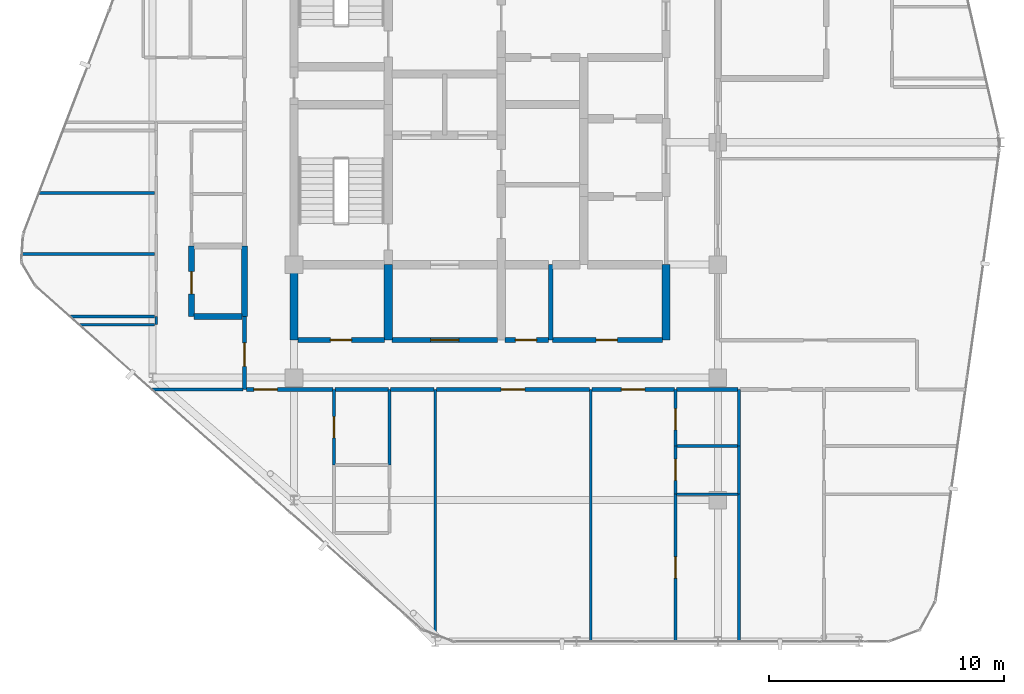
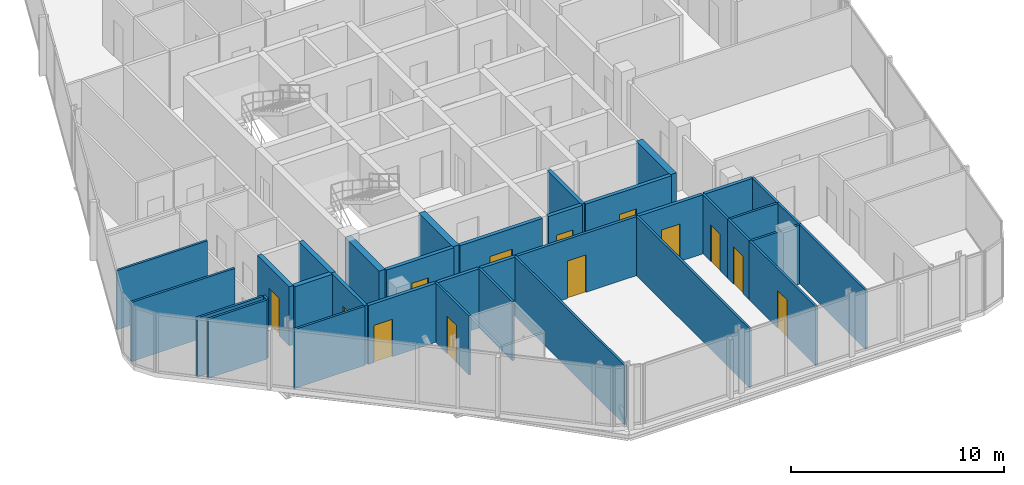
# One storey, part 25 of 30: 36 walls, 13 doors, 13 openings.
"""IFC4 building model written with IfcOpenShell, lengths in metres."""

from ifc_helpers import new_model, si_unit, direction, frame, frame_2d, origin, place, context, subcontext, project, spatial, rectangle, extrude, material, layer, layer_set, type_object, element, fill, save


model = new_model("IFC4")

# Units and contexts
model_context = context("Model", 3, precision=1e-05, world=origin(), true_north=direction((0.0, 1.0)))
body_context = subcontext(model_context, "Body", "Model", "MODEL_VIEW")
ifc_project = project(units=[si_unit("LENGTHUNIT", "METRE"), si_unit("AREAUNIT", "SQUARE_METRE"), si_unit("VOLUMEUNIT", "CUBIC_METRE"), si_unit("PLANEANGLEUNIT", "RADIAN"), si_unit("MASSUNIT", "GRAM", prefix="KILO")], contexts=[model_context])

# Site, building, storey
site_placement = place(None, origin())
site = spatial("IfcSite", under=ifc_project, at=site_placement, CompositionType="ELEMENT")
building_placement = place(site_placement, origin())
building = spatial("IfcBuilding", under=site, at=building_placement, Name="Keshet Zoharim Tower", CompositionType="ELEMENT")
storey_placement = place(building_placement, frame((0.0, 0.0, 280.60009765625)))
storey = spatial("IfcBuildingStorey", under=building, at=storey_placement, Name="L70", CompositionType="ELEMENT", Elevation=280.60009765625)

# Wall, opening, door
ifc_material_1 = material(Name="Gypsum Plasterboard", Category="gypsum")
ifc_layer_1 = layer(ifc_material_1, 0.14990234375)
ifc_layer_set_1 = layer_set([ifc_layer_1], Name="Gypsum Plasterboard")
wall_type_1 = type_object("IfcWallType", Name="WL-CLIN-150", PredefinedType="STANDARD", material=ifc_layer_set_1)
wall_1_placement = place(storey_placement, frame((21.044921875, 17.39990234375, 0.0), z_axis=(0.0, 0.0, 1.0), x_axis=(1.0, 0.0, 0.0)))
wall_1 = element("IfcWall", 1, at=wall_1_placement, inside=storey, type_object=wall_type_1, Name="L70 Interior Wall 103", PredefinedType="STANDARD", context=body_context, shape_type="SweptSolid", body=[
    extrude(rectangle(XDim=6.510009765625, YDim=0.14990234375, at=frame_2d((3.2548828125, 0.0))), origin(), (0.0, 0.0, 1.0), 3.389892578125),
])
opening_1_placement = place(wall_1_placement, frame((2.7548828125, 0.0, 0.0)))
opening_1 = element("IfcOpeningElement", 2, at=opening_1_placement, cuts=wall_1, Name="Opening D-F310", PredefinedType="OPENING", context=body_context, shape_type="SweptSolid", body=[
    extrude(rectangle(XDim=1.0, YDim=2.14990234375, at=frame_2d((0.5, 1.074951171875))), frame((0.0, 0.0849609375, 0.0), z_axis=(0.0, -1.0, 0.0), x_axis=(1.0, 0.0, 0.0)), (0.0, 0.0, 1.0), 0.169921875),
])
ifc_material_2 = material(Name="Hardwood Timber", Category="wood")
door_type_1 = type_object("IfcDoorType", Name="DR-FD30-100", OperationType="NOTDEFINED", PredefinedType="DOOR", material=ifc_material_2)
door_1_placement = place(opening_1_placement, origin())
door_1 = element("IfcDoor", 3, at=door_1_placement, inside=storey, type_object=door_type_1, Name="L70 Floor Children Playroom Door", OperationType="SINGLE_SWING_RIGHT", OverallHeight=2.14990234375, OverallWidth=1.0, PredefinedType="DOOR", context=body_context, shape_type="SweptSolid", body=[
    extrude(rectangle(XDim=1.0, YDim=2.14990234375, at=frame_2d((0.5, 1.074951171875))), frame((0.0, 0.02490234375, 0.0), z_axis=(0.0, -1.0, 0.0), x_axis=(1.0, 0.0, 0.0)), (0.0, 0.0, 1.0), 0.050048828125),
])
fill(opening_1, door_1)

# Walls
ifc_material_3 = material(Name="Concrete C60/75", Category="concrete")
ifc_layer_2 = layer(ifc_material_3, 0.35009765625)
ifc_layer_set_2 = layer_set([ifc_layer_2], Name="Concrete C60/75")
wall_type_2 = type_object("IfcWallType", Name="WL-CORE-350", PredefinedType="SHEAR", material=ifc_layer_set_2)
for number, where, z_axis, x_axis, name in (
    (4, (15.0, 19.5, 0.0), (0.0, 0.0, 1.0), (0.0, 1.0, 0.0), "L70 Core Shear Wall 016"),
    (5, (19.0, 19.5, 0.0), (0.0, 0.0, 1.0), (0.0, 1.0, 0.0), "L70 Core Shear Wall 026"),
    (6, (30.800048828125, 19.5, 0.0), (0.0, 0.0, 1.0), (0.0, 1.0, 0.0), "L70 Core Shear Wall 060"),
):
    element("IfcWall", number, at=place(storey_placement, frame(where, z_axis=z_axis, x_axis=x_axis)), inside=storey, type_object=wall_type_2, Name=name, PredefinedType="SHEAR", context=body_context, shape_type="SweptSolid", body=[
        extrude(rectangle(XDim=3.199951171875, YDim=0.35009765625, at=frame_2d((1.60009765625, 0.0))), origin(), (0.0, 0.0, 1.0), 3.389892578125),
    ])

# Wall, opening, door
ifc_layer_3 = layer(ifc_material_1, 0.179931640625)
ifc_layer_set_3 = layer_set([ifc_layer_3], Name="Gypsum Plasterboard")
wall_type_3 = type_object("IfcWallType", Name="WL-CORR-180", PredefinedType="STANDARD", material=ifc_layer_set_3)
wall_2_placement = place(storey_placement, frame((12.89990234375, 17.39990234375, 0.0), z_axis=(0.0, 0.0, 1.0), x_axis=(0.0, 1.0, 0.0)))
wall_2 = element("IfcWall", 7, at=wall_2_placement, inside=storey, type_object=wall_type_3, Name="L70 Interior Wall 009", PredefinedType="STANDARD", context=body_context, shape_type="SweptSolid", body=[
    extrude(rectangle(XDim=3.10009765625, YDim=0.179931640625, at=frame_2d((1.550048828125, 0.0))), origin(), (0.0, 0.0, 1.0), 3.389892578125),
])
opening_2_placement = place(wall_2_placement, frame((0.97802734375, 0.0, 0.0)))
opening_2 = element("IfcOpeningElement", 8, at=opening_2_placement, cuts=wall_2, Name="Opening D-F310", PredefinedType="OPENING", context=body_context, shape_type="SweptSolid", body=[
    extrude(rectangle(XDim=1.0, YDim=2.14990234375, at=frame_2d((0.5, 1.074951171875))), frame((0.0, 0.10009765625, 0.0), z_axis=(0.0, -1.0, 0.0), x_axis=(1.0, 0.0, 0.0)), (0.0, 0.0, 1.0), 0.199951171875),
])
door_2_placement = place(opening_2_placement, origin())
door_2 = element("IfcDoor", 9, at=door_2_placement, inside=storey, type_object=door_type_1, Name="Apartment 7006 Entrance Door", OperationType="SINGLE_SWING_RIGHT", OverallHeight=2.14990234375, OverallWidth=1.0, PredefinedType="DOOR", context=body_context, shape_type="SweptSolid", body=[
    extrude(rectangle(XDim=1.0, YDim=2.14990234375, at=frame_2d((0.5, 1.074951171875))), frame((0.0, 0.02490234375, 0.0), z_axis=(0.0, -1.0, 0.0), x_axis=(1.0, 0.0, 0.0)), (0.0, 0.0, 1.0), 0.050048828125),
])
fill(opening_2, door_2)

wall_3_placement = place(storey_placement, frame((12.97509765625, 17.39990234375, 0.0), z_axis=(0.0, 0.0, 1.0), x_axis=(1.0, 0.0, 0.0)))
wall_3 = element("IfcWall", 10, at=wall_3_placement, inside=storey, type_object=wall_type_3, Name="L70 Interior Wall 100", PredefinedType="STANDARD", context=body_context, shape_type="SweptSolid", body=[
    extrude(rectangle(XDim=3.679931640625, YDim=0.179931640625, at=frame_2d((1.83984375, 0.0))), origin(), (0.0, 0.0, 1.0), 3.389892578125),
])
opening_3_placement = place(wall_3_placement, frame((0.322021484375, 0.0, 0.0)))
opening_3 = element("IfcOpeningElement", 11, at=opening_3_placement, cuts=wall_3, Name="Opening D-F310", PredefinedType="OPENING", context=body_context, shape_type="SweptSolid", body=[
    extrude(rectangle(XDim=1.0, YDim=2.14990234375, at=frame_2d((0.5, 1.074951171875))), frame((0.0, 0.10009765625, 0.0), z_axis=(0.0, -1.0, 0.0), x_axis=(1.0, 0.0, 0.0)), (0.0, 0.0, 1.0), 0.199951171875),
])
door_3_placement = place(opening_3_placement, origin())
door_3 = element("IfcDoor", 12, at=door_3_placement, inside=storey, type_object=door_type_1, Name="Apartment 7001 Entrance Door", OperationType="SINGLE_SWING_LEFT", OverallHeight=2.14990234375, OverallWidth=1.0, PredefinedType="DOOR", context=body_context, shape_type="SweptSolid", body=[
    extrude(rectangle(XDim=1.0, YDim=2.14990234375, at=frame_2d((0.5, 1.074951171875))), frame((0.0, 0.02490234375, 0.0), z_axis=(0.0, -1.0, 0.0), x_axis=(1.0, 0.0, 0.0)), (0.0, 0.0, 1.0), 0.050048828125),
])
fill(opening_3, door_3)

# Walls
wall_4_placement = place(storey_placement, frame((16.7451171875, 17.39990234375, 0.0), z_axis=(0.0, 0.0, 1.0), x_axis=(1.0, 0.0, 0.0)))
element("IfcWall", 13, at=wall_4_placement, inside=storey, type_object=wall_type_3, Name="L70 Interior Wall 101", PredefinedType="STANDARD", context=body_context, shape_type="SweptSolid", body=[
    extrude(rectangle(XDim=2.259765625, YDim=0.179931640625, at=frame_2d((1.1298828125, 0.0))), origin(), (0.0, 0.0, 1.0), 3.389892578125),
])
wall_5_placement = place(storey_placement, frame((19.094970703125, 17.39990234375, 0.0), z_axis=(0.0, 0.0, 1.0), x_axis=(1.0, 0.0, 0.0)))
element("IfcWall", 14, at=wall_5_placement, inside=storey, type_object=wall_type_3, Name="L70 Interior Wall 102", PredefinedType="STANDARD", context=body_context, shape_type="SweptSolid", body=[
    extrude(rectangle(XDim=1.860107421875, YDim=0.179931640625, at=frame_2d((0.93017578125, 0.0))), origin(), (0.0, 0.0, 1.0), 3.389892578125),
])

# Wall, opening, door
wall_6_placement = place(storey_placement, frame((27.64501953125, 17.39990234375, 0.0), z_axis=(0.0, 0.0, 1.0), x_axis=(1.0, 0.0, 0.0)))
wall_6 = element("IfcWall", 15, at=wall_6_placement, inside=storey, type_object=wall_type_3, Name="L70 Interior Wall 104", PredefinedType="STANDARD", context=body_context, shape_type="SweptSolid", body=[
    extrude(rectangle(XDim=3.510009765625, YDim=0.179931640625, at=frame_2d((1.7548828125, 0.0))), origin(), (0.0, 0.0, 1.0), 3.389892578125),
])
opening_4_placement = place(wall_6_placement, frame((1.2548828125, 0.0, 0.0)))
opening_4 = element("IfcOpeningElement", 16, at=opening_4_placement, cuts=wall_6, Name="Opening D-F310", PredefinedType="OPENING", context=body_context, shape_type="SweptSolid", body=[
    extrude(rectangle(XDim=1.0, YDim=2.14990234375, at=frame_2d((0.5, 1.074951171875))), frame((0.0, 0.10009765625, 0.0), z_axis=(0.0, -1.0, 0.0), x_axis=(1.0, 0.0, 0.0)), (0.0, 0.0, 1.0), 0.199951171875),
])
door_4_placement = place(opening_4_placement, origin())
door_4 = element("IfcDoor", 17, at=door_4_placement, inside=storey, type_object=door_type_1, Name="Apartment 7002 Entrance Door", OperationType="SINGLE_SWING_LEFT", OverallHeight=2.14990234375, OverallWidth=1.0, PredefinedType="DOOR", context=body_context, shape_type="SweptSolid", body=[
    extrude(rectangle(XDim=1.0, YDim=2.14990234375, at=frame_2d((0.5, 1.074951171875))), frame((0.0, 0.02490234375, 0.0), z_axis=(0.0, -1.0, 0.0), x_axis=(1.0, 0.0, 0.0)), (0.0, 0.0, 1.0), 0.050048828125),
])
fill(opening_4, door_4)

# Walls
wall_7_placement = place(storey_placement, frame((31.2451171875, 17.39990234375, 0.0), z_axis=(0.0, 0.0, 1.0), x_axis=(1.0, 0.0, 0.0)))
element("IfcWall", 18, at=wall_7_placement, inside=storey, type_object=wall_type_3, Name="L70 Interior Wall 105", PredefinedType="STANDARD", context=body_context, shape_type="SweptSolid", body=[
    extrude(rectangle(XDim=2.60986328125, YDim=0.179931640625, at=frame_2d((1.304931640625, 0.0))), origin(), (0.0, 0.0, 1.0), 3.389892578125),
])
ifc_material_4 = material(Name="Concrete C50/60", Category="concrete")
ifc_layer_4 = layer(ifc_material_4, 0.199951171875)
ifc_layer_set_4 = layer_set([ifc_layer_4], Name="Concrete C50/60")
wall_type_4 = type_object("IfcWallType", Name="WL-FIRE-200", PredefinedType="STANDARD", material=ifc_layer_set_4)
wall_8_placement = place(storey_placement, frame((25.89990234375, 19.5, 0.0), z_axis=(0.0, 0.0, 1.0), x_axis=(0.0, 1.0, 0.0)))
element("IfcWall", 19, at=wall_8_placement, inside=storey, type_object=wall_type_4, Name="L70 Interior Wall 050", PredefinedType="STANDARD", context=body_context, shape_type="SweptSolid", body=[
    extrude(rectangle(XDim=3.199951171875, YDim=0.199951171875, at=frame_2d((1.60009765625, 0.0))), origin(), (0.0, 0.0, 1.0), 3.389892578125),
])

# Wall, opening, door
wall_9_placement = place(storey_placement, frame((15.159912109375, 19.5, 0.0), z_axis=(0.0, 0.0, 1.0), x_axis=(1.0, 0.0, 0.0)))
wall_9 = element("IfcWall", 20, at=wall_9_placement, inside=storey, type_object=wall_type_4, Name="L70 Interior Wall 109", PredefinedType="STANDARD", context=body_context, shape_type="SweptSolid", body=[
    extrude(rectangle(XDim=3.68017578125, YDim=0.199951171875, at=frame_2d((1.840087890625, 0.0))), origin(), (0.0, 0.0, 1.0), 3.389892578125),
])
opening_5_placement = place(wall_9_placement, frame((1.389892578125, 0.0, 0.0)))
opening_5 = element("IfcOpeningElement", 21, at=opening_5_placement, cuts=wall_9, Name="Opening D-F690", PredefinedType="OPENING", context=body_context, shape_type="SweptSolid", body=[
    extrude(rectangle(XDim=0.89990234375, YDim=2.14990234375, at=frame_2d((0.449951171875, 1.074951171875))), frame((0.0, 0.10986328125, 0.0), z_axis=(0.0, -1.0, 0.0), x_axis=(1.0, 0.0, 0.0)), (0.0, 0.0, 1.0), 0.219970703125),
])
door_type_2 = type_object("IfcDoorType", Name="DR-FD60-090", OperationType="NOTDEFINED", PredefinedType="DOOR", material=ifc_material_2)
door_5_placement = place(opening_5_placement, origin())
door_5 = element("IfcDoor", 22, at=door_5_placement, inside=storey, type_object=door_type_2, Name="L70 Refuse Room Door", OperationType="SINGLE_SWING_LEFT", OverallHeight=2.14990234375, OverallWidth=0.89990234375, PredefinedType="DOOR", context=body_context, shape_type="SweptSolid", body=[
    extrude(rectangle(XDim=0.89990234375, YDim=2.14990234375, at=frame_2d((0.449951171875, 1.074951171875))), frame((0.0, 0.02490234375, 0.0), z_axis=(0.0, -1.0, 0.0), x_axis=(1.0, 0.0, 0.0)), (0.0, 0.0, 1.0), 0.050048828125),
])
fill(opening_5, door_5)

wall_10_placement = place(storey_placement, frame((19.159912109375, 19.5, 0.0), z_axis=(0.0, 0.0, 1.0), x_axis=(1.0, 0.0, 0.0)))
wall_10 = element("IfcWall", 23, at=wall_10_placement, inside=storey, type_object=wall_type_4, Name="L70 Interior Wall 110", PredefinedType="STANDARD", context=body_context, shape_type="SweptSolid", body=[
    extrude(rectangle(XDim=4.47998046875, YDim=0.199951171875, at=frame_2d((2.239990234375, 0.0))), origin(), (0.0, 0.0, 1.0), 3.389892578125),
])
opening_6_placement = place(wall_10_placement, frame((1.639892578125, 0.0, 0.0)))
opening_6 = element("IfcOpeningElement", 24, at=opening_6_placement, cuts=wall_10, Name="Opening D-F612", PredefinedType="OPENING", context=body_context, shape_type="SweptSolid", body=[
    extrude(rectangle(XDim=1.199951171875, YDim=2.199951171875, at=frame_2d((0.60009765625, 1.10009765625))), frame((0.0, 0.10986328125, 0.0), z_axis=(0.0, -1.0, 0.0), x_axis=(1.0, 0.0, 0.0)), (0.0, 0.0, 1.0), 0.219970703125),
])
door_type_3 = type_object("IfcDoorType", Name="DR-FD60-120", OperationType="NOTDEFINED", PredefinedType="DOOR", material=ifc_material_2)
door_6_placement = place(opening_6_placement, origin())
door_6 = element("IfcDoor", 25, at=door_6_placement, inside=storey, type_object=door_type_3, Name="L70 South Vestibule Corridor Door", OperationType="SINGLE_SWING_RIGHT", OverallHeight=2.199951171875, OverallWidth=1.199951171875, PredefinedType="DOOR", context=body_context, shape_type="SweptSolid", body=[
    extrude(rectangle(XDim=1.199951171875, YDim=2.199951171875, at=frame_2d((0.60009765625, 1.10009765625))), frame((0.0, 0.02490234375, 0.0), z_axis=(0.0, -1.0, 0.0), x_axis=(1.0, 0.0, 0.0)), (0.0, 0.0, 1.0), 0.050048828125),
])
fill(opening_6, door_6)

wall_11_placement = place(storey_placement, frame((23.9599609375, 19.5, 0.0), z_axis=(0.0, 0.0, 1.0), x_axis=(1.0, 0.0, 0.0)))
wall_11 = element("IfcWall", 26, at=wall_11_placement, inside=storey, type_object=wall_type_4, Name="L70 Interior Wall 111", PredefinedType="STANDARD", context=body_context, shape_type="SweptSolid", body=[
    extrude(rectangle(XDim=1.85498046875, YDim=0.199951171875, at=frame_2d((0.927490234375, 0.0))), origin(), (0.0, 0.0, 1.0), 3.389892578125),
])
opening_7_placement = place(wall_11_placement, frame((0.43994140625, 0.0, 0.0)))
opening_7 = element("IfcOpeningElement", 27, at=opening_7_placement, cuts=wall_11, Name="Opening D-F690", PredefinedType="OPENING", context=body_context, shape_type="SweptSolid", body=[
    extrude(rectangle(XDim=0.89990234375, YDim=2.14990234375, at=frame_2d((0.449951171875, 1.074951171875))), frame((0.0, 0.10986328125, 0.0), z_axis=(0.0, -1.0, 0.0), x_axis=(1.0, 0.0, 0.0)), (0.0, 0.0, 1.0), 0.219970703125),
])
door_7_placement = place(opening_7_placement, origin())
door_7 = element("IfcDoor", 28, at=door_7_placement, inside=storey, type_object=door_type_2, Name="L70 Cleaners Store Door", OperationType="SINGLE_SWING_LEFT", OverallHeight=2.14990234375, OverallWidth=0.89990234375, PredefinedType="DOOR", context=body_context, shape_type="SweptSolid", body=[
    extrude(rectangle(XDim=0.89990234375, YDim=2.14990234375, at=frame_2d((0.449951171875, 1.074951171875))), frame((0.0, 0.02490234375, 0.0), z_axis=(0.0, -1.0, 0.0), x_axis=(1.0, 0.0, 0.0)), (0.0, 0.0, 1.0), 0.050048828125),
])
fill(opening_7, door_7)

wall_12_placement = place(storey_placement, frame((25.985107421875, 19.5, 0.0), z_axis=(0.0, 0.0, 1.0), x_axis=(1.0, 0.0, 0.0)))
wall_12 = element("IfcWall", 29, at=wall_12_placement, inside=storey, type_object=wall_type_4, Name="L70 Interior Wall 112", PredefinedType="STANDARD", context=body_context, shape_type="SweptSolid", body=[
    extrude(rectangle(XDim=4.65478515625, YDim=0.199951171875, at=frame_2d((2.327392578125, 0.0))), origin(), (0.0, 0.0, 1.0), 3.389892578125),
])
opening_8_placement = place(wall_12_placement, frame((1.844970703125, 0.0, 0.0)))
opening_8 = element("IfcOpeningElement", 30, at=opening_8_placement, cuts=wall_12, Name="Opening D-F690", PredefinedType="OPENING", context=body_context, shape_type="SweptSolid", body=[
    extrude(rectangle(XDim=0.89990234375, YDim=2.14990234375, at=frame_2d((0.449951171875, 1.074951171875))), frame((0.0, 0.10986328125, 0.0), z_axis=(0.0, -1.0, 0.0), x_axis=(1.0, 0.0, 0.0)), (0.0, 0.0, 1.0), 0.219970703125),
])
door_8_placement = place(opening_8_placement, origin())
door_8 = element("IfcDoor", 31, at=door_8_placement, inside=storey, type_object=door_type_2, Name="L70 Meter Room Door", OperationType="SINGLE_SWING_RIGHT", OverallHeight=2.14990234375, OverallWidth=0.89990234375, PredefinedType="DOOR", context=body_context, shape_type="SweptSolid", body=[
    extrude(rectangle(XDim=0.89990234375, YDim=2.14990234375, at=frame_2d((0.449951171875, 1.074951171875))), frame((0.0, 0.02490234375, 0.0), z_axis=(0.0, -1.0, 0.0), x_axis=(1.0, 0.0, 0.0)), (0.0, 0.0, 1.0), 0.050048828125),
])
fill(opening_8, door_8)

ifc_layer_5 = layer(ifc_material_4, 0.25)
ifc_layer_set_5 = layer_set([ifc_layer_5], Name="Concrete C50/60")
wall_type_5 = type_object("IfcWallType", Name="WL-MAMAD-250", PredefinedType="STANDARD", material=ifc_layer_set_5)
wall_13_placement = place(storey_placement, frame((10.64990234375, 20.5, 0.0), z_axis=(0.0, 0.0, 1.0), x_axis=(0.0, 1.0, 0.0)))
wall_13 = element("IfcWall", 32, at=wall_13_placement, inside=storey, type_object=wall_type_5, Name="L70 Interior Wall 006", PredefinedType="STANDARD", context=body_context, shape_type="SweptSolid", body=[
    extrude(rectangle(XDim=3.001953125, YDim=0.25, at=frame_2d((1.5009765625, 0.0))), origin(), (0.0, 0.0, 1.0), 3.389892578125),
])
opening_9_placement = place(wall_13_placement, frame((0.9560546875, 0.0, 0.0)))
opening_9 = element("IfcOpeningElement", 33, at=opening_9_placement, cuts=wall_13, Name="Opening D-F695", PredefinedType="OPENING", context=body_context, shape_type="SweptSolid", body=[
    extrude(rectangle(XDim=0.949951171875, YDim=2.14990234375, at=frame_2d((0.47509765625, 1.074951171875))), frame((0.0, 0.135009765625, 0.0), z_axis=(0.0, -1.0, 0.0), x_axis=(1.0, 0.0, 0.0)), (0.0, 0.0, 1.0), 0.27001953125),
])
door_type_4 = type_object("IfcDoorType", Name="DR-FD60-095", OperationType="NOTDEFINED", PredefinedType="DOOR", material=ifc_material_2)
door_9_placement = place(opening_9_placement, origin())
door_9 = element("IfcDoor", 34, at=door_9_placement, inside=storey, type_object=door_type_4, Name="Apartment 7006 Study and Shelter Room Door", OperationType="SINGLE_SWING_LEFT", OverallHeight=2.14990234375, OverallWidth=0.949951171875, PredefinedType="DOOR", context=body_context, shape_type="SweptSolid", body=[
    extrude(rectangle(XDim=0.949951171875, YDim=2.14990234375, at=frame_2d((0.47509765625, 1.074951171875))), frame((0.0, 0.02490234375, 0.0), z_axis=(0.0, -1.0, 0.0), x_axis=(1.0, 0.0, 0.0)), (0.0, 0.0, 1.0), 0.050048828125),
])
fill(opening_9, door_9)

# Walls
wall_14_placement = place(storey_placement, frame((12.89990234375, 20.5, 0.0), z_axis=(0.0, 0.0, 1.0), x_axis=(0.0, 1.0, 0.0)))
element("IfcWall", 35, at=wall_14_placement, inside=storey, type_object=wall_type_5, Name="L70 Interior Wall 010", PredefinedType="STANDARD", context=body_context, shape_type="SweptSolid", body=[
    extrude(rectangle(XDim=3.001953125, YDim=0.25, at=frame_2d((1.5009765625, 0.0))), origin(), (0.0, 0.0, 1.0), 3.389892578125),
])
wall_15_placement = place(storey_placement, frame((10.760009765625, 20.5, 0.0), z_axis=(0.0, 0.0, 1.0), x_axis=(1.0, 0.0, 0.0)))
element("IfcWall", 36, at=wall_15_placement, inside=storey, type_object=wall_type_5, Name="L70 Interior Wall 116", PredefinedType="STANDARD", context=body_context, shape_type="SweptSolid", body=[
    extrude(rectangle(XDim=2.030029296875, YDim=0.25, at=frame_2d((1.01513671875, 0.0))), origin(), (0.0, 0.0, 1.0), 3.389892578125),
])
ifc_layer_6 = layer(ifc_material_1, 0.1201171875)
ifc_layer_set_6 = layer_set([ifc_layer_6], Name="Gypsum Plasterboard")
wall_type_6 = type_object("IfcWallType", Name="WL-PART-120", PredefinedType="PARTITIONING", material=ifc_layer_set_6)
wall_16_placement = place(storey_placement, frame((9.14990234375, 20.14990234375, 0.0), z_axis=(0.0, 0.0, 1.0), x_axis=(0.0, 1.0, 0.0)))
element("IfcWall", 37, at=wall_16_placement, inside=storey, type_object=wall_type_6, Name="L70 Interior Wall 002", PredefinedType="PARTITIONING", context=body_context, shape_type="SweptSolid", body=[
    extrude(rectangle(XDim=0.35009765625, YDim=0.1201171875, at=frame_2d((0.175048828125, 0.0))), origin(), (0.0, 0.0, 1.0), 3.389892578125),
])

# Wall, opening, door
wall_17_placement = place(storey_placement, frame((16.699951171875, 14.199951171875, 0.0), z_axis=(0.0, 0.0, 1.0), x_axis=(0.0, 1.0, 0.0)))
wall_17 = element("IfcWall", 38, at=wall_17_placement, inside=storey, type_object=wall_type_6, Name="L70 Interior Wall 023", PredefinedType="PARTITIONING", context=body_context, shape_type="SweptSolid", body=[
    extrude(rectangle(XDim=3.199951171875, YDim=0.1201171875, at=frame_2d((1.60009765625, 0.0))), origin(), (0.0, 0.0, 1.0), 3.389892578125),
])
opening_10_placement = place(wall_17_placement, frame((1.14990234375, 0.0, 0.0)))
opening_10 = element("IfcOpeningElement", 39, at=opening_10_placement, cuts=wall_17, Name="Opening D-IN90", PredefinedType="OPENING", context=body_context, shape_type="SweptSolid", body=[
    extrude(rectangle(XDim=0.89990234375, YDim=2.14990234375, at=frame_2d((0.449951171875, 1.074951171875))), frame((0.0, 0.070068359375, 0.0), z_axis=(0.0, -1.0, 0.0), x_axis=(1.0, 0.0, 0.0)), (0.0, 0.0, 1.0), 0.14013671875),
])
door_type_5 = type_object("IfcDoorType", Name="DR-INT-090", OperationType="NOTDEFINED", PredefinedType="DOOR", material=ifc_material_2)
door_10_placement = place(opening_10_placement, origin())
door_10 = element("IfcDoor", 40, at=door_10_placement, inside=storey, type_object=door_type_5, Name="Apartment 7001 Kitchenette Door", OperationType="SINGLE_SWING_RIGHT", OverallHeight=2.14990234375, OverallWidth=0.89990234375, PredefinedType="DOOR", context=body_context, shape_type="SweptSolid", body=[
    extrude(rectangle(XDim=0.89990234375, YDim=2.14990234375, at=frame_2d((0.449951171875, 1.074951171875))), frame((0.0, 0.02490234375, 0.0), z_axis=(0.0, -1.0, 0.0), x_axis=(1.0, 0.0, 0.0)), (0.0, 0.0, 1.0), 0.050048828125),
])
fill(opening_10, door_10)

# Walls
wall_18_placement = place(storey_placement, frame((19.050048828125, 14.199951171875, 0.0), z_axis=(0.0, 0.0, 1.0), x_axis=(0.0, 1.0, 0.0)))
element("IfcWall", 41, at=wall_18_placement, inside=storey, type_object=wall_type_6, Name="L70 Interior Wall 032", PredefinedType="PARTITIONING", context=body_context, shape_type="SweptSolid", body=[
    extrude(rectangle(XDim=3.199951171875, YDim=0.1201171875, at=frame_2d((1.60009765625, 0.0))), origin(), (0.0, 0.0, 1.0), 3.389892578125),
])
wall_19_placement = place(storey_placement, frame((21.0, 6.9990234375, 0.0), z_axis=(0.0, 0.0, 1.0), x_axis=(0.0, 1.0, 0.0)))
element("IfcWall", 42, at=wall_19_placement, inside=storey, type_object=wall_type_6, Name="L70 Interior Wall 035", PredefinedType="PARTITIONING", context=body_context, shape_type="SweptSolid", body=[
    extrude(rectangle(XDim=10.40087890625, YDim=0.1201171875, at=frame_2d((5.200439453125, 0.0))), origin(), (0.0, 0.0, 1.0), 3.389892578125),
])
wall_20_placement = place(storey_placement, frame((27.60009765625, 6.7099609375, 0.0), z_axis=(0.0, 0.0, 1.0), x_axis=(0.0, 1.0, 0.0)))
element("IfcWall", 43, at=wall_20_placement, inside=storey, type_object=wall_type_6, Name="L70 Interior Wall 055", PredefinedType="PARTITIONING", context=body_context, shape_type="SweptSolid", body=[
    extrude(rectangle(XDim=10.68994140625, YDim=0.1201171875, at=frame_2d((5.344970703125, 0.0))), origin(), (0.0, 0.0, 1.0), 3.389892578125),
])

# Wall, opening, door
wall_21_placement = place(storey_placement, frame((31.199951171875, 6.7099609375, 0.0), z_axis=(0.0, 0.0, 1.0), x_axis=(0.0, 1.0, 0.0)))
wall_21 = element("IfcWall", 44, at=wall_21_placement, inside=storey, type_object=wall_type_6, Name="L70 Interior Wall 066", PredefinedType="PARTITIONING", context=body_context, shape_type="SweptSolid", body=[
    extrude(rectangle(XDim=6.260009765625, YDim=0.1201171875, at=frame_2d((3.1298828125, 0.0))), origin(), (0.0, 0.0, 1.0), 3.389892578125),
])
opening_11_placement = place(wall_21_placement, frame((2.679931640625, 0.0, 0.0)))
opening_11 = element("IfcOpeningElement", 45, at=opening_11_placement, cuts=wall_21, Name="Opening D-IN90", PredefinedType="OPENING", context=body_context, shape_type="SweptSolid", body=[
    extrude(rectangle(XDim=0.89990234375, YDim=2.14990234375, at=frame_2d((0.449951171875, 1.074951171875))), frame((0.0, 0.070068359375, 0.0), z_axis=(0.0, -1.0, 0.0), x_axis=(1.0, 0.0, 0.0)), (0.0, 0.0, 1.0), 0.14013671875),
])
door_11_placement = place(opening_11_placement, origin())
door_11 = element("IfcDoor", 46, at=door_11_placement, inside=storey, type_object=door_type_5, Name="Apartment 7002 Bedroom 1 Door", OperationType="SINGLE_SWING_RIGHT", OverallHeight=2.14990234375, OverallWidth=0.89990234375, PredefinedType="DOOR", context=body_context, shape_type="SweptSolid", body=[
    extrude(rectangle(XDim=0.89990234375, YDim=2.14990234375, at=frame_2d((0.449951171875, 1.074951171875))), frame((0.0, 0.02490234375, 0.0), z_axis=(0.0, -1.0, 0.0), x_axis=(1.0, 0.0, 0.0)), (0.0, 0.0, 1.0), 0.050048828125),
])
fill(opening_11, door_11)

wall_22_placement = place(storey_placement, frame((31.199951171875, 12.969970703125, 0.0), z_axis=(0.0, 0.0, 1.0), x_axis=(0.0, 1.0, 0.0)))
wall_22 = element("IfcWall", 47, at=wall_22_placement, inside=storey, type_object=wall_type_6, Name="L70 Interior Wall 067", PredefinedType="PARTITIONING", context=body_context, shape_type="SweptSolid", body=[
    extrude(rectangle(XDim=2.0380859375, YDim=0.1201171875, at=frame_2d((1.01904296875, 0.0))), origin(), (0.0, 0.0, 1.0), 3.389892578125),
])
opening_12_placement = place(wall_22_placement, frame((0.569091796875, 0.0, 0.0)))
opening_12 = element("IfcOpeningElement", 48, at=opening_12_placement, cuts=wall_22, Name="Opening D-IN90", PredefinedType="OPENING", context=body_context, shape_type="SweptSolid", body=[
    extrude(rectangle(XDim=0.89990234375, YDim=2.14990234375, at=frame_2d((0.449951171875, 1.074951171875))), frame((0.0, 0.070068359375, 0.0), z_axis=(0.0, -1.0, 0.0), x_axis=(1.0, 0.0, 0.0)), (0.0, 0.0, 1.0), 0.14013671875),
])
door_12_placement = place(opening_12_placement, origin())
door_12 = element("IfcDoor", 49, at=door_12_placement, inside=storey, type_object=door_type_5, Name="Apartment 7002 Kitchen Door", OperationType="SINGLE_SWING_LEFT", OverallHeight=2.14990234375, OverallWidth=0.89990234375, PredefinedType="DOOR", context=body_context, shape_type="SweptSolid", body=[
    extrude(rectangle(XDim=0.89990234375, YDim=2.14990234375, at=frame_2d((0.449951171875, 1.074951171875))), frame((0.0, 0.02490234375, 0.0), z_axis=(0.0, -1.0, 0.0), x_axis=(1.0, 0.0, 0.0)), (0.0, 0.0, 1.0), 0.050048828125),
])
fill(opening_12, door_12)

# Walls
wall_23_placement = place(storey_placement, frame((33.89990234375, 6.7099609375, 0.0), z_axis=(0.0, 0.0, 1.0), x_axis=(0.0, 1.0, 0.0)))
element("IfcWall", 50, at=wall_23_placement, inside=storey, type_object=wall_type_6, Name="L70 Interior Wall 076", PredefinedType="PARTITIONING", context=body_context, shape_type="SweptSolid", body=[
    extrude(rectangle(XDim=6.260009765625, YDim=0.1201171875, at=frame_2d((3.1298828125, 0.0))), origin(), (0.0, 0.0, 1.0), 3.389892578125),
])
wall_24_placement = place(storey_placement, frame((33.89990234375, 12.969970703125, 0.0), z_axis=(0.0, 0.0, 1.0), x_axis=(0.0, 1.0, 0.0)))
element("IfcWall", 51, at=wall_24_placement, inside=storey, type_object=wall_type_6, Name="L70 Interior Wall 077", PredefinedType="PARTITIONING", context=body_context, shape_type="SweptSolid", body=[
    extrude(rectangle(XDim=2.0380859375, YDim=0.1201171875, at=frame_2d((1.01904296875, 0.0))), origin(), (0.0, 0.0, 1.0), 3.389892578125),
])
wall_25_placement = place(storey_placement, frame((31.2451171875, 12.949951171875, 0.0), z_axis=(0.0, 0.0, 1.0), x_axis=(1.0, 0.0, 0.0)))
element("IfcWall", 52, at=wall_25_placement, inside=storey, type_object=wall_type_6, Name="L70 Interior Wall 094", PredefinedType="PARTITIONING", context=body_context, shape_type="SweptSolid", body=[
    extrude(rectangle(XDim=2.60986328125, YDim=0.1201171875, at=frame_2d((1.304931640625, 0.0))), origin(), (0.0, 0.0, 1.0), 3.389892578125),
])
wall_26_placement = place(storey_placement, frame((8.972900390625, 17.39990234375, 0.0), z_axis=(0.0, 0.0, 1.0), x_axis=(1.0, 0.0, 0.0)))
element("IfcWall", 53, at=wall_26_placement, inside=storey, type_object=wall_type_6, Name="L70 Interior Wall 099", PredefinedType="PARTITIONING", context=body_context, shape_type="SweptSolid", body=[
    extrude(rectangle(XDim=3.85205078125, YDim=0.1201171875, at=frame_2d((1.926025390625, 0.0))), origin(), (0.0, 0.0, 1.0), 3.389892578125),
])
wall_27_placement = place(storey_placement, frame((5.87890625, 20.14990234375, 0.0), z_axis=(0.0, 0.0, 1.0), x_axis=(1.0, 0.0, 0.0)))
element("IfcWall", 54, at=wall_27_placement, inside=storey, type_object=wall_type_6, Name="L70 Interior Wall 114", PredefinedType="PARTITIONING", context=body_context, shape_type="SweptSolid", body=[
    extrude(rectangle(XDim=3.2060546875, YDim=0.1201171875, at=frame_2d((1.60302734375, 0.0))), origin(), (0.0, 0.0, 1.0), 3.389892578125),
])
wall_28_placement = place(storey_placement, frame((5.485107421875, 20.5, 0.0), z_axis=(0.0, 0.0, 1.0), x_axis=(1.0, 0.0, 0.0)))
element("IfcWall", 55, at=wall_28_placement, inside=storey, type_object=wall_type_6, Name="L70 Interior Wall 115", PredefinedType="PARTITIONING", context=body_context, shape_type="SweptSolid", body=[
    extrude(rectangle(XDim=3.599853515625, YDim=0.1201171875, at=frame_2d((1.7998046875, 0.0))), origin(), (0.0, 0.0, 1.0), 3.389892578125),
])
wall_29_placement = place(storey_placement, frame((3.451904296875, 23.14990234375, 0.0), z_axis=(0.0, 0.0, 1.0), x_axis=(1.0, 0.0, 0.0)))
element("IfcWall", 56, at=wall_29_placement, inside=storey, type_object=wall_type_6, Name="L70 Interior Wall 122", PredefinedType="PARTITIONING", context=body_context, shape_type="SweptSolid", body=[
    extrude(rectangle(XDim=5.633056640625, YDim=0.1201171875, at=frame_2d((2.81640625, 0.0))), origin(), (0.0, 0.0, 1.0), 3.389892578125),
])
wall_30_placement = place(storey_placement, frame((4.18310546875, 25.75, 0.0), z_axis=(0.0, 0.0, 1.0), x_axis=(1.0, 0.0, 0.0)))
element("IfcWall", 57, at=wall_30_placement, inside=storey, type_object=wall_type_6, Name="L70 Interior Wall 126", PredefinedType="PARTITIONING", context=body_context, shape_type="SweptSolid", body=[
    extrude(rectangle(XDim=4.90185546875, YDim=0.1201171875, at=frame_2d((2.450927734375, 0.0))), origin(), (0.0, 0.0, 1.0), 3.389892578125),
])

# Wall, opening, door
ifc_layer_7 = layer(ifc_material_1, 0.1201171875)
ifc_layer_set_7 = layer_set([ifc_layer_7], Name="Gypsum Plasterboard")
wall_type_7 = type_object("IfcWallType", Name="WL-WET-120", PredefinedType="PARTITIONING", material=ifc_layer_set_7)
wall_31_placement = place(storey_placement, frame((31.199951171875, 15.008056640625, 0.0), z_axis=(0.0, 0.0, 1.0), x_axis=(0.0, 1.0, 0.0)))
wall_31 = element("IfcWall", 58, at=wall_31_placement, inside=storey, type_object=wall_type_7, Name="L70 Interior Wall 068", PredefinedType="PARTITIONING", context=body_context, shape_type="SweptSolid", body=[
    extrude(rectangle(XDim=2.391845703125, YDim=0.1201171875, at=frame_2d((1.19580078125, 0.0))), origin(), (0.0, 0.0, 1.0), 3.389892578125),
])
opening_13_placement = place(wall_31_placement, frame((0.675048828125, 0.0, 0.0)))
opening_13 = element("IfcOpeningElement", 59, at=opening_13_placement, cuts=wall_31, Name="Opening D-WT90", PredefinedType="OPENING", context=body_context, shape_type="SweptSolid", body=[
    extrude(rectangle(XDim=0.89990234375, YDim=2.10009765625, at=frame_2d((0.449951171875, 1.050048828125))), frame((0.0, 0.070068359375, 0.0), z_axis=(0.0, -1.0, 0.0), x_axis=(1.0, 0.0, 0.0)), (0.0, 0.0, 1.0), 0.14013671875),
])
door_type_6 = type_object("IfcDoorType", Name="DR-WET-090", OperationType="NOTDEFINED", PredefinedType="DOOR", material=ifc_material_2)
door_13_placement = place(opening_13_placement, origin())
door_13 = element("IfcDoor", 60, at=door_13_placement, inside=storey, type_object=door_type_6, Name="Apartment 7002 Bathroom Door", OperationType="SINGLE_SWING_RIGHT", OverallHeight=2.10009765625, OverallWidth=0.89990234375, PredefinedType="DOOR", context=body_context, shape_type="SweptSolid", body=[
    extrude(rectangle(XDim=0.89990234375, YDim=2.10009765625, at=frame_2d((0.449951171875, 1.050048828125))), frame((0.0, 0.02490234375, 0.0), z_axis=(0.0, -1.0, 0.0), x_axis=(1.0, 0.0, 0.0)), (0.0, 0.0, 1.0), 0.050048828125),
])
fill(opening_13, door_13)

# Walls
wall_32_placement = place(storey_placement, frame((33.89990234375, 15.008056640625, 0.0), z_axis=(0.0, 0.0, 1.0), x_axis=(0.0, 1.0, 0.0)))
element("IfcWall", 61, at=wall_32_placement, inside=storey, type_object=wall_type_7, Name="L70 Interior Wall 078", PredefinedType="PARTITIONING", context=body_context, shape_type="SweptSolid", body=[
    extrude(rectangle(XDim=2.391845703125, YDim=0.1201171875, at=frame_2d((1.19580078125, 0.0))), origin(), (0.0, 0.0, 1.0), 3.389892578125),
])
wall_33_placement = place(storey_placement, frame((31.2451171875, 15.0, 0.0), z_axis=(0.0, 0.0, 1.0), x_axis=(1.0, 0.0, 0.0)))
element("IfcWall", 62, at=wall_33_placement, inside=storey, type_object=wall_type_7, Name="L70 Interior Wall 097", PredefinedType="PARTITIONING", context=body_context, shape_type="SweptSolid", body=[
    extrude(rectangle(XDim=2.60986328125, YDim=0.1201171875, at=frame_2d((1.304931640625, 0.0))), origin(), (0.0, 0.0, 1.0), 3.389892578125),
])

save(model, "model.ifc")
